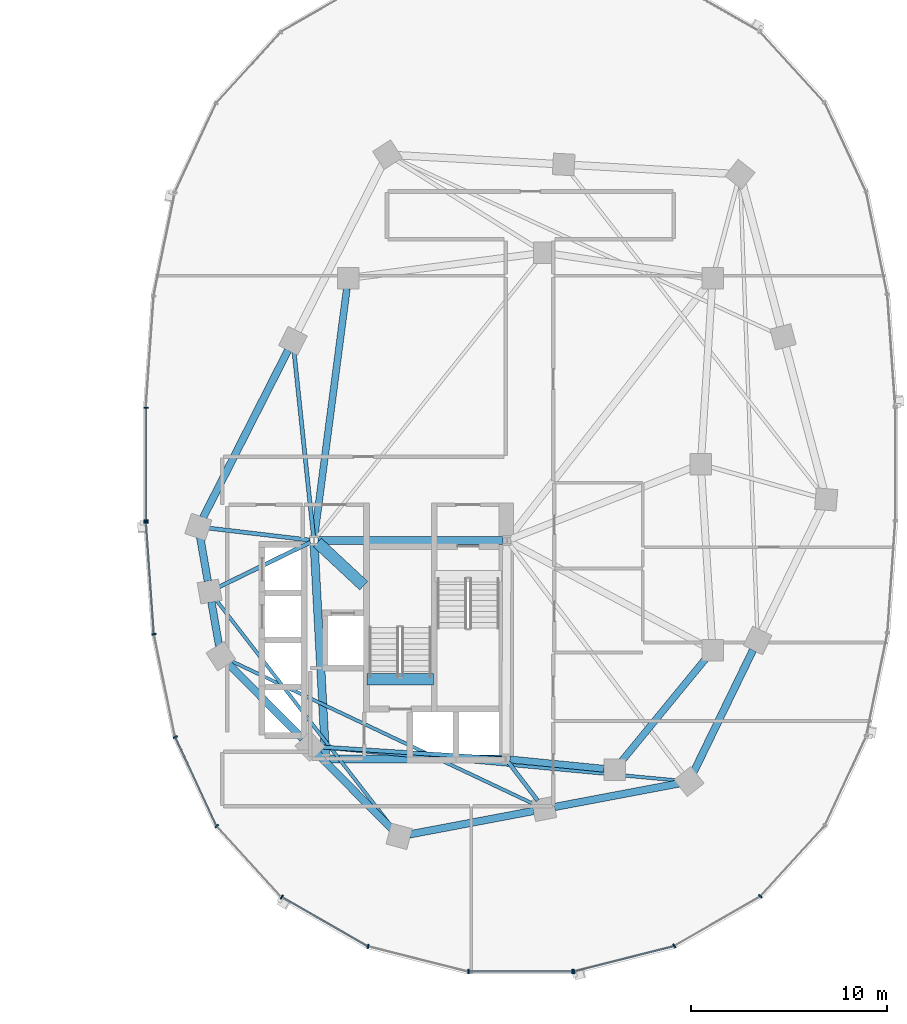
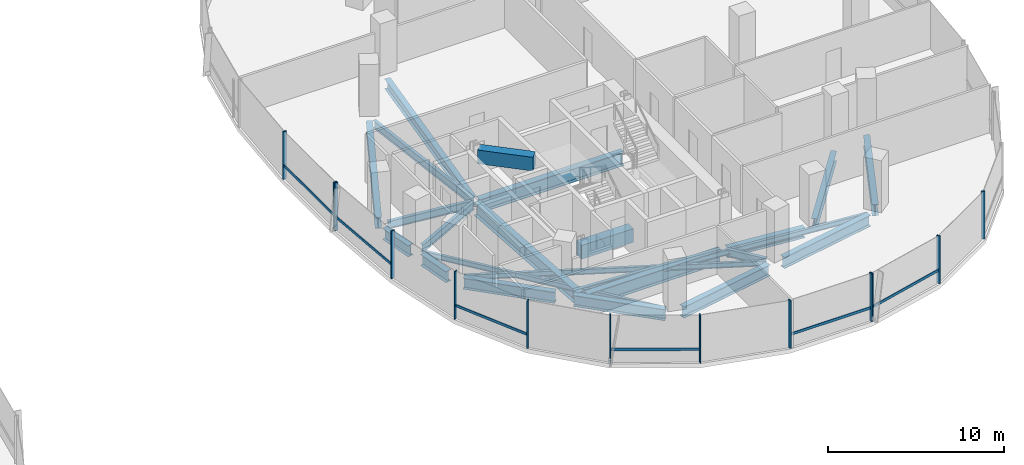
# One storey, part 5 of 21: 24 beams, 19 members, 3 elements without a shape of their own.
"""IFC4 building model written with IfcOpenShell, lengths in metres."""

from ifc_helpers import new_model, si_unit, direction, frame, origin, origin_2d, place, context, subcontext, project, spatial, rectangle, i_section, extrude, material, material_profile, profile_set, type_object, element, aggregate, save


model = new_model("IFC4")

# Units and contexts
model_context = context("Model", 3, precision=1e-05, world=origin(), true_north=direction((0.0, 1.0)))
body_context = subcontext(model_context, "Body", "Model", "MODEL_VIEW")
ifc_project = project(units=[si_unit("LENGTHUNIT", "METRE"), si_unit("AREAUNIT", "SQUARE_METRE"), si_unit("VOLUMEUNIT", "CUBIC_METRE"), si_unit("PLANEANGLEUNIT", "RADIAN"), si_unit("MASSUNIT", "GRAM", prefix="KILO"), si_unit("THERMODYNAMICTEMPERATUREUNIT", "KELVIN"), si_unit("POWERUNIT", "WATT")], contexts=[model_context])

# Site, building, storey
site_placement = place(None, origin())
site = spatial("IfcSite", under=ifc_project, at=site_placement, CompositionType="ELEMENT")
building_placement = place(site_placement, origin())
building = spatial("IfcBuilding", under=site, at=building_placement, Name="Cundina Bronze Exchange", CompositionType="ELEMENT")
storey_placement = place(building_placement, frame((0.0, 0.0, 96.199951171875)))
storey = spatial("IfcBuildingStorey", under=building, at=storey_placement, Name="L24", CompositionType="ELEMENT", Elevation=96.199951171875)

# Beams
ifc_material_1 = material(Name="Concrete C60/75", Category="concrete")
ifc_material_profile_1 = material_profile(ifc_material_1, rectangle(XDim=0.60009765625, YDim=0.949951171875, at=origin_2d()), Name="RC600X950", Category="concrete")
ifc_profile_set_1 = profile_set([ifc_material_profile_1], Name="Concrete C60/75")
beam_type_1 = type_object("IfcBeamType", Name="BM-COUP-RC950", PredefinedType="LINTEL", material=ifc_profile_set_1)
beam_1_placement = place(storey_placement, frame((24.159912109375, -10.97998046875, -0.474853515625), z_axis=(1.0, 0.0, 0.0), x_axis=(0.0, 1.0, 0.0)))
element("IfcBeam", 1, at=beam_1_placement, inside=storey, type_object=beam_type_1, Name="L24 Stair E2 Landing Header Beam", PredefinedType="LINTEL", context=body_context, shape_type="SweptSolid", body=[
    extrude(rectangle(XDim=0.60009765625, YDim=0.949951171875, at=origin_2d()), origin(), (0.0, 0.0, 1.0), 3.400146484375),
])
beam_2_placement = place(storey_placement, frame((21.6298828125, -4.0, 2.824951171875), z_axis=(0.731490439815, -0.681851696822, 0.0), x_axis=(0.681851696822, 0.731490439815, 0.0)))
element("IfcBeam", 2, at=beam_2_placement, inside=storey, type_object=beam_type_1, Name="L24 E Core Shear Coupling Lintel Beam", PredefinedType="LINTEL", context=body_context, shape_type="SweptSolid", body=[
    extrude(rectangle(XDim=0.60009765625, YDim=0.949951171875, at=origin_2d()), origin(), (0.0, 0.0, 1.0), 3.226318359375),
])
ifc_material_2 = material(Name="Steel ASTM A992 Grade 50", Category="steel")
ifc_material_profile_2 = material_profile(ifc_material_2, i_section(OverallWidth=0.2099609375, OverallDepth=0.532958984375, WebThickness=0.01025390625, FlangeThickness=0.015625, FilletRadius=0.013916015625, at=origin_2d()), Name="W21X62", Category="steel")
ifc_profile_set_2 = profile_set([ifc_material_profile_2], Name="Steel ASTM A992 Grade 50")
beam_type_2 = type_object("IfcBeamType", Name="BM-FLR-W21B", PredefinedType="BEAM", material=ifc_profile_set_2)
beam_3_placement = place(storey_placement, frame((21.247314453125, -3.8759765625, -0.56640625), z_axis=(-0.993035701683, 0.117813815752, 0.0), x_axis=(-0.117813815752, -0.993035701683, 0.0)))
element("IfcBeam", 3, at=beam_3_placement, inside=storey, type_object=beam_type_2, Name="L24 Leg E Chordal Floor Beam 00", PredefinedType="BEAM", context=body_context, shape_type="SweptSolid", body=[
    extrude(i_section(OverallWidth=0.2099609375, OverallDepth=0.532958984375, WebThickness=0.01025390625, FlangeThickness=0.015625, FilletRadius=0.013916015625, at=origin_2d()), origin(), (0.0, 0.0, 1.0), 5.19921875),
])
beam_4_placement = place(storey_placement, frame((21.2666015625, -3.989501953125, -0.56640625), z_axis=(-0.898607246385, -0.438753936443, 0.0), x_axis=(0.438753936443, -0.898607246385, 0.0)))
element("IfcBeam", 4, at=beam_4_placement, inside=storey, type_object=beam_type_2, Name="L24 Leg E Chordal Floor Beam 01", PredefinedType="BEAM", context=body_context, shape_type="SweptSolid", body=[
    extrude(i_section(OverallWidth=0.2099609375, OverallDepth=0.532958984375, WebThickness=0.01025390625, FlangeThickness=0.015625, FilletRadius=0.013916015625, at=origin_2d()), origin(), (0.0, 0.0, 1.0), 5.183837890625),
])
beam_5_placement = place(storey_placement, frame((31.04638671875, -15.036865234375, -0.56640625), z_axis=(-0.997892901568, 0.064882640211, 0.0), x_axis=(-0.064882640211, -0.997892901568, 0.0)))
element("IfcBeam", 5, at=beam_5_placement, inside=storey, type_object=beam_type_2, Name="L24 Leg E Chordal Floor Beam 03", PredefinedType="BEAM", context=body_context, shape_type="SweptSolid", body=[
    extrude(i_section(OverallWidth=0.2099609375, OverallDepth=0.532958984375, WebThickness=0.01025390625, FlangeThickness=0.015625, FilletRadius=0.013916015625, at=origin_2d()), origin(), (0.0, 0.0, 1.0), 9.279052734375),
])
beam_6_placement = place(storey_placement, frame((31.373779296875, -15.2119140625, -0.56640625), z_axis=(0.607490490457, -0.79432695032, 0.0), x_axis=(0.79432695032, 0.607490490457, 0.0)))
element("IfcBeam", 6, at=beam_6_placement, inside=storey, type_object=beam_type_2, Name="L24 Leg E Chordal Floor Beam 05", PredefinedType="BEAM", context=body_context, shape_type="SweptSolid", body=[
    extrude(i_section(OverallWidth=0.2099609375, OverallDepth=0.532958984375, WebThickness=0.01025390625, FlangeThickness=0.015625, FilletRadius=0.013916015625, at=origin_2d()), origin(), (0.0, 0.0, 1.0), 2.46826171875),
])
beam_7_placement = place(storey_placement, frame((21.4287109375, -3.697021484375, -0.56640625), z_axis=(-0.104822364957, 0.994490961148, 0.0), x_axis=(-0.994490961148, -0.104822364957, 0.0)))
element("IfcBeam", 7, at=beam_7_placement, inside=storey, type_object=beam_type_2, Name="L24 Leg E Chordal Floor Beam 13", PredefinedType="BEAM", context=body_context, shape_type="SweptSolid", body=[
    extrude(i_section(OverallWidth=0.2099609375, OverallDepth=0.532958984375, WebThickness=0.01025390625, FlangeThickness=0.015625, FilletRadius=0.013916015625, at=origin_2d()), origin(), (0.0, 0.0, 1.0), 9.514404296875),
])
ifc_material_profile_3 = material_profile(ifc_material_2, i_section(OverallWidth=0.172119140625, OverallDepth=0.35791015625, WebThickness=0.0078125, FlangeThickness=0.01318359375, FilletRadius=0.010009765625, at=origin_2d()), Name="W14X38", Category="steel")
ifc_profile_set_3 = profile_set([ifc_material_profile_3], Name="Steel ASTM A992 Grade 50")
beam_type_3 = type_object("IfcBeamType", Name="BM-JST-W14", PredefinedType="JOIST", material=ifc_profile_set_3)
beam_8_placement = place(storey_placement, frame((16.454345703125, -6.92529296875, -0.47900390625), z_axis=(0.612065218806, -0.790807288742, 0.0), x_axis=(0.790807288742, 0.612065218806, 0.0)))
element("IfcBeam", 8, at=beam_8_placement, inside=storey, type_object=beam_type_3, Name="L24 Leg E Lobe Floor Joist 01-04", PredefinedType="JOIST", context=body_context, shape_type="SweptSolid", body=[
    extrude(i_section(OverallWidth=0.172119140625, OverallDepth=0.35791015625, WebThickness=0.0078125, FlangeThickness=0.01318359375, FilletRadius=0.010009765625, at=origin_2d()), origin(), (0.0, 0.0, 1.0), 14.73095703125),
])
beam_9_placement = place(storey_placement, frame((17.186279296875, -10.02978515625, -0.47900390625), z_axis=(0.904069270633, -0.427385954259, 0.0), x_axis=(0.427385954259, 0.904069270633, 0.0)))
element("IfcBeam", 9, at=beam_9_placement, inside=storey, type_object=beam_type_3, Name="L24 Leg E Lobe Floor Joist 02-05", PredefinedType="JOIST", context=body_context, shape_type="SweptSolid", body=[
    extrude(i_section(OverallWidth=0.172119140625, OverallDepth=0.35791015625, WebThickness=0.0078125, FlangeThickness=0.01318359375, FilletRadius=0.010009765625, at=origin_2d()), origin(), (0.0, 0.0, 1.0), 17.175048828125),
])
beam_10_placement = place(storey_placement, frame((21.78564453125, -14.44970703125, -0.47900390625), z_axis=(0.995700674022, -0.092629194921, 0.0), x_axis=(0.092629194921, 0.995700674022, 0.0)))
element("IfcBeam", 10, at=beam_10_placement, inside=storey, type_object=beam_type_3, Name="L24 Leg E Lobe Floor Joist 03-06", PredefinedType="JOIST", context=body_context, shape_type="SweptSolid", body=[
    extrude(i_section(OverallWidth=0.172119140625, OverallDepth=0.35791015625, WebThickness=0.0078125, FlangeThickness=0.01318359375, FilletRadius=0.010009765625, at=origin_2d()), origin(), (0.0, 0.0, 1.0), 18.357421875),
])
ifc_material_profile_4 = material_profile(ifc_material_2, i_section(OverallWidth=0.35498046875, OverallDepth=0.695068359375, WebThickness=0.015380859375, FlangeThickness=0.02490234375, FilletRadius=0.01806640625, at=origin_2d()), Name="W27X146", Category="steel")
ifc_profile_set_4 = profile_set([ifc_material_profile_4], Name="Steel ASTM A992 Grade 50")
beam_type_4 = type_object("IfcBeamType", Name="BM-RING-W27", PredefinedType="USERDEFINED", material=ifc_profile_set_4)
beam_11_placement = place(storey_placement, frame((31.452880859375, -15.070068359375, -0.6474609375), z_axis=(0.995126271817, -0.098608839051, 0.0), x_axis=(0.098608839051, 0.995126271817, 0.0)))
element("IfcBeam", 11, at=beam_11_placement, inside=storey, type_object=beam_type_4, Name="L24 E Inner Structural Ring Girder 01", ObjectType="GIRDER", PredefinedType="USERDEFINED", context=body_context, shape_type="SweptSolid", body=[
    extrude(i_section(OverallWidth=0.35498046875, OverallDepth=0.695068359375, WebThickness=0.015380859375, FlangeThickness=0.02490234375, FilletRadius=0.01806640625, at=origin_2d()), origin(), (0.0, 0.0, 1.0), 4.83544921875),
])
beam_12_placement = place(storey_placement, frame((37.14111328125, -15.183837890625, -0.6474609375), z_axis=(0.633926549035, 0.773393257295, 0.0), x_axis=(-0.773393257295, 0.633926549035, 0.0)))
element("IfcBeam", 12, at=beam_12_placement, inside=storey, type_object=beam_type_4, Name="L24 E Inner Structural Ring Girder 02", ObjectType="GIRDER", PredefinedType="USERDEFINED", context=body_context, shape_type="SweptSolid", body=[
    extrude(i_section(OverallWidth=0.35498046875, OverallDepth=0.695068359375, WebThickness=0.015380859375, FlangeThickness=0.02490234375, FilletRadius=0.01806640625, at=origin_2d()), origin(), (0.0, 0.0, 1.0), 6.811279296875),
])
beam_13_placement = place(storey_placement, frame((23.13037109375, 8.966552734375, -0.6474609375), z_axis=(-0.129507526533, -0.99157843894, 0.0), x_axis=(0.99157843894, -0.129507526533, 0.0)))
element("IfcBeam", 13, at=beam_13_placement, inside=storey, type_object=beam_type_4, Name="L24 E Inner Structural Ring Girder 07", ObjectType="GIRDER", PredefinedType="USERDEFINED", context=body_context, shape_type="SweptSolid", body=[
    extrude(i_section(OverallWidth=0.35498046875, OverallDepth=0.695068359375, WebThickness=0.015380859375, FlangeThickness=0.02490234375, FilletRadius=0.01806640625, at=origin_2d()), origin(), (0.0, 0.0, 1.0), 12.77197265625),
])
ifc_material_profile_5 = material_profile(ifc_material_2, i_section(OverallWidth=0.381103515625, OverallDepth=0.77294921875, WebThickness=0.0166015625, FlangeThickness=0.027099609375, FilletRadius=0.01904296875, at=origin_2d()), Name="W30X173", Category="steel")
ifc_profile_set_5 = profile_set([ifc_material_profile_5], Name="Steel ASTM A992 Grade 50")
beam_type_5 = type_object("IfcBeamType", Name="BM-RING-W30", PredefinedType="USERDEFINED", material=ifc_profile_set_5)
for number, where, z_axis, x_axis, name in (
    (14, (15.642333984375, -3.72998046875, -0.6865234375), (0.171690078326, -0.985151012284, 0.0), (0.985151012284, 0.171690078326, 0.0), "L24 E Perimeter Ring Girder 00"),
    (15, (16.21728515625, -7.030029296875, -0.6865234375), (0.171690078326, -0.985151012284, 0.0), (0.985151012284, 0.171690078326, 0.0), "L24 E Perimeter Ring Girder 01"),
):
    element("IfcBeam", number, at=place(storey_placement, frame(where, z_axis=z_axis, x_axis=x_axis)), inside=storey, type_object=beam_type_5, Name=name, ObjectType="GIRDER", PredefinedType="USERDEFINED", context=body_context, shape_type="SweptSolid", body=[
        extrude(i_section(OverallWidth=0.381103515625, OverallDepth=0.77294921875, WebThickness=0.0166015625, FlangeThickness=0.027099609375, FilletRadius=0.01904296875, at=origin_2d()), origin(), (0.0, 0.0, 1.0), 2.273681640625),
    ])
for number, where, z_axis, x_axis, name in (
    (16, (17.078369140625, -10.1826171875, -0.6865234375), (0.703226342126, -0.7109660412, 0.0), (0.7109660412, 0.703226342126, 0.0), "L24 E Perimeter Ring Girder 02"),
    (17, (21.62841796875, -14.782470703125, -0.6865234375), (0.703226342126, -0.7109660412, 0.0), (0.7109660412, 0.703226342126, 0.0), "L24 E Perimeter Ring Girder 03"),
):
    element("IfcBeam", number, at=place(storey_placement, frame(where, z_axis=z_axis, x_axis=x_axis)), inside=storey, type_object=beam_type_5, Name=name, ObjectType="GIRDER", PredefinedType="USERDEFINED", context=body_context, shape_type="SweptSolid", body=[
        extrude(i_section(OverallWidth=0.381103515625, OverallDepth=0.77294921875, WebThickness=0.0166015625, FlangeThickness=0.027099609375, FilletRadius=0.01904296875, at=origin_2d()), origin(), (0.0, 0.0, 1.0), 5.39404296875),
    ])
for number, where, z_axis, x_axis, name in (
    (18, (26.32861328125, -18.89990234375, -0.6865234375), (0.98257117919, 0.185886733861, 0.0), (-0.185886733861, 0.98257117919, 0.0), "L24 E Perimeter Ring Girder 04"),
    (19, (33.728515625, -17.5, -0.6865234375), (0.98257117919, 0.185886733861, 0.0), (-0.185886733861, 0.98257117919, 0.0), "L24 E Perimeter Ring Girder 05"),
):
    element("IfcBeam", number, at=place(storey_placement, frame(where, z_axis=z_axis, x_axis=x_axis)), inside=storey, type_object=beam_type_5, Name=name, ObjectType="GIRDER", PredefinedType="USERDEFINED", context=body_context, shape_type="SweptSolid", body=[
        extrude(i_section(OverallWidth=0.381103515625, OverallDepth=0.77294921875, WebThickness=0.0166015625, FlangeThickness=0.027099609375, FilletRadius=0.01904296875, at=origin_2d()), origin(), (0.0, 0.0, 1.0), 6.455322265625),
    ])
beam_14_placement = place(storey_placement, frame((40.835205078125, -15.716064453125, -0.6865234375), z_axis=(0.437193894283, 0.899367276924, 0.0), x_axis=(-0.899367276924, 0.437193894283, 0.0)))
element("IfcBeam", 20, at=beam_14_placement, inside=storey, type_object=beam_type_5, Name="L24 E Perimeter Ring Girder 06", ObjectType="GIRDER", PredefinedType="USERDEFINED", context=body_context, shape_type="SweptSolid", body=[
    extrude(i_section(OverallWidth=0.381103515625, OverallDepth=0.77294921875, WebThickness=0.0166015625, FlangeThickness=0.027099609375, FilletRadius=0.01904296875, at=origin_2d()), origin(), (0.0, 0.0, 1.0), 6.929443359375),
])
beam_15_placement = place(storey_placement, frame((20.13134765625, 5.8203125, -0.6865234375), z_axis=(-0.452832332744, -0.891595692241, 0.0), x_axis=(0.891595692241, -0.452832332744, 0.0)))
element("IfcBeam", 21, at=beam_15_placement, inside=storey, type_object=beam_type_5, Name="L24 E Perimeter Ring Girder 13", ObjectType="GIRDER", PredefinedType="USERDEFINED", context=body_context, shape_type="SweptSolid", body=[
    extrude(i_section(OverallWidth=0.381103515625, OverallDepth=0.77294921875, WebThickness=0.0166015625, FlangeThickness=0.027099609375, FilletRadius=0.01904296875, at=origin_2d()), origin(), (0.0, 0.0, 1.0), 9.578857421875),
])
ifc_material_profile_6 = material_profile(ifc_material_2, i_section(OverallWidth=0.41796875, OverallDepth=0.927001953125, WebThickness=0.019287109375, FlangeThickness=0.031982421875, FilletRadius=0.02392578125, at=origin_2d()), Name="W36X231", Category="steel")
ifc_profile_set_6 = profile_set([ifc_material_profile_6], Name="Steel ASTM A992 Grade 50")
beam_type_6 = type_object("IfcBeamType", Name="BM-WRN-W36B", PredefinedType="USERDEFINED", material=ifc_profile_set_6)
beam_16_placement = place(storey_placement, frame((31.095947265625, -3.89990234375, -0.763427734375), z_axis=(-1.0, 0.0, 0.0), x_axis=(0.0, -1.0, 0.0)))
element("IfcBeam", 22, at=beam_16_placement, inside=storey, type_object=beam_type_6, Name="L24 E Core Perimeter Tie Girder 1", ObjectType="GIRDER", PredefinedType="USERDEFINED", context=body_context, shape_type="SweptSolid", body=[
    extrude(i_section(OverallWidth=0.41796875, OverallDepth=0.927001953125, WebThickness=0.019287109375, FlangeThickness=0.031982421875, FilletRadius=0.02392578125, at=origin_2d()), origin(), (0.0, 0.0, 1.0), 9.44189453125),
])
beam_17_placement = place(storey_placement, frame((21.4609375, -4.103759765625, -0.763427734375), z_axis=(0.053739193498, -0.998555005537, 0.0), x_axis=(0.998555005537, 0.053739193498, 0.0)))
element("IfcBeam", 23, at=beam_17_placement, inside=storey, type_object=beam_type_6, Name="L24 E Core Perimeter Tie Girder 2", ObjectType="GIRDER", PredefinedType="USERDEFINED", context=body_context, shape_type="SweptSolid", body=[
    extrude(i_section(OverallWidth=0.41796875, OverallDepth=0.927001953125, WebThickness=0.019287109375, FlangeThickness=0.031982421875, FilletRadius=0.02392578125, at=origin_2d()), origin(), (0.0, 0.0, 1.0), 10.758056640625),
])
beam_18_placement = place(storey_placement, frame((22.25390625, -15.050048828125, -0.763427734375), z_axis=(1.0, 0.0, 0.0), x_axis=(0.0, 1.0, 0.0)))
element("IfcBeam", 24, at=beam_18_placement, inside=storey, type_object=beam_type_6, Name="L24 E Core Perimeter Tie Girder 3", ObjectType="GIRDER", PredefinedType="USERDEFINED", context=body_context, shape_type="SweptSolid", body=[
    extrude(i_section(OverallWidth=0.41796875, OverallDepth=0.927001953125, WebThickness=0.019287109375, FlangeThickness=0.031982421875, FilletRadius=0.02392578125, at=origin_2d()), origin(), (0.0, 0.0, 1.0), 8.7919921875),
])

# Curtain wall, members
ifc_material_3 = material(Name="Anodised Bronze Aluminium 6063-T6", Category="aluminium")
curtain_wall_type = type_object("IfcCurtainWallType", Name="CWS-TRD-MID", PredefinedType="NOTDEFINED", material=ifc_material_3)
curtain_wall_1_placement = place(storey_placement, origin())
curtain_wall_1 = element("IfcCurtainWall", 25, at=curtain_wall_1_placement, inside=storey, type_object=curtain_wall_type, Name="L24 CW-03 Curtain Wall Run CWR-L24-E2", PredefinedType="NOTDEFINED")
ifc_material_profile_7 = material_profile(ifc_material_3, rectangle(XDim=0.074951171875, YDim=0.219970703125, at=origin_2d()), Name="AL75X220", Category="aluminium")
ifc_profile_set_7 = profile_set([ifc_material_profile_7], Name="Anodised Bronze Aluminium 6063-T6")
member_type_1 = type_object("IfcMemberType", Name="CWM-MUL-220", PredefinedType="MULLION", material=ifc_profile_set_7)
member_1_placement = place(storey_placement, frame((12.8720703125, 2.880615234375, 0.0), z_axis=(0.0, 0.0, 1.0), x_axis=(0.0, -1.0, 0.0)))
member_1 = element("IfcMember", 26, at=member_1_placement, type_object=member_type_1, Name="CW-03 Mullion 7", PredefinedType="MULLION", context=body_context, shape_type="SweptSolid", body=[
    extrude(rectangle(XDim=0.074951171875, YDim=0.219970703125, at=origin_2d()), origin(), (0.0, 0.0, 1.0), 3.300048828125),
])
member_2_placement = place(storey_placement, frame((12.8720703125, -2.880615234375, 0.0), z_axis=(0.0, 0.0, 1.0), x_axis=(0.0, -1.0, 0.0)))
member_2 = element("IfcMember", 27, at=member_2_placement, type_object=member_type_1, Name="CW-03 End Mullion", PredefinedType="MULLION", context=body_context, shape_type="SweptSolid", body=[
    extrude(rectangle(XDim=0.074951171875, YDim=0.219970703125, at=origin_2d()), origin(), (0.0, 0.0, 1.0), 3.300048828125),
])

curtain_wall_2_placement = place(storey_placement, origin())
curtain_wall_2 = element("IfcCurtainWall", 28, at=curtain_wall_2_placement, inside=storey, type_object=curtain_wall_type, Name="L24 CW-03 Curtain Wall Run CWR-L24-E3", PredefinedType="NOTDEFINED")
member_3_placement = place(storey_placement, frame((12.87548828125, -2.976318359375, 0.0), z_axis=(0.0, 0.0, 1.0), x_axis=(0.070278787473, -0.997527389113, 0.0)))
member_3 = element("IfcMember", 29, at=member_3_placement, type_object=member_type_1, Name="CW-03 Mullion 1", PredefinedType="MULLION", context=body_context, shape_type="SweptSolid", body=[
    extrude(rectangle(XDim=0.074951171875, YDim=0.219970703125, at=origin_2d()), origin(), (0.0, 0.0, 1.0), 3.300048828125),
])
member_4_placement = place(storey_placement, frame((13.282958984375, -8.67822265625, 0.0), z_axis=(0.0, 0.0, 1.0), x_axis=(0.201419845156, -0.979505000486, 0.0)))
member_4 = element("IfcMember", 30, at=member_4_placement, type_object=member_type_1, Name="CW-03 Mullion 2", PredefinedType="MULLION", context=body_context, shape_type="SweptSolid", body=[
    extrude(rectangle(XDim=0.074951171875, YDim=0.219970703125, at=origin_2d()), origin(), (0.0, 0.0, 1.0), 3.300048828125),
])
member_5_placement = place(storey_placement, frame((14.3720703125, -13.931884765625, 0.0), z_axis=(0.0, 0.0, 1.0), x_axis=(0.42087749791, -0.907117485088, 0.0)))
member_5 = element("IfcMember", 31, at=member_5_placement, type_object=member_type_1, Name="CW-03 Mullion 3", PredefinedType="MULLION", context=body_context, shape_type="SweptSolid", body=[
    extrude(rectangle(XDim=0.074951171875, YDim=0.219970703125, at=origin_2d()), origin(), (0.0, 0.0, 1.0), 3.300048828125),
])
member_6_placement = place(storey_placement, frame((16.491455078125, -18.47705078125, 0.0), z_axis=(0.0, 0.0, 1.0), x_axis=(0.674302387584, -0.738455340626, 0.0)))
member_6 = element("IfcMember", 32, at=member_6_placement, type_object=member_type_1, Name="CW-03 Mullion 4", PredefinedType="MULLION", context=body_context, shape_type="SweptSolid", body=[
    extrude(rectangle(XDim=0.074951171875, YDim=0.219970703125, at=origin_2d()), origin(), (0.0, 0.0, 1.0), 3.300048828125),
])
member_7_placement = place(storey_placement, frame((19.810302734375, -22.097412109375, 0.0), z_axis=(0.0, 0.0, 1.0), x_axis=(0.867070701164, -0.498185105339, 0.0)))
member_7 = element("IfcMember", 33, at=member_7_placement, type_object=member_type_1, Name="CW-03 Mullion 5", PredefinedType="MULLION", context=body_context, shape_type="SweptSolid", body=[
    extrude(rectangle(XDim=0.074951171875, YDim=0.219970703125, at=origin_2d()), origin(), (0.0, 0.0, 1.0), 3.300048828125),
])
member_8_placement = place(storey_placement, frame((24.21484375, -24.61669921875, 0.0), z_axis=(0.0, 0.0, 1.0), x_axis=(0.969488149345, -0.245138182011, 0.0)))
member_8 = element("IfcMember", 34, at=member_8_placement, type_object=member_type_1, Name="CW-03 Mullion 6", PredefinedType="MULLION", context=body_context, shape_type="SweptSolid", body=[
    extrude(rectangle(XDim=0.074951171875, YDim=0.219970703125, at=origin_2d()), origin(), (0.0, 0.0, 1.0), 3.300048828125),
])
member_9_placement = place(storey_placement, frame((29.345458984375, -25.905029296875, 0.0), z_axis=(0.0, 0.0, 1.0), x_axis=(1.0, 0.0, 0.0)))
member_9 = element("IfcMember", 35, at=member_9_placement, type_object=member_type_1, Name="CW-03 Mullion 7", PredefinedType="MULLION", context=body_context, shape_type="SweptSolid", body=[
    extrude(rectangle(XDim=0.074951171875, YDim=0.219970703125, at=origin_2d()), origin(), (0.0, 0.0, 1.0), 3.300048828125),
])
member_10_placement = place(storey_placement, frame((34.654541015625, -25.905029296875, 0.0), z_axis=(0.0, 0.0, 1.0), x_axis=(1.0, 0.0, 0.0)))
member_10 = element("IfcMember", 36, at=member_10_placement, type_object=member_type_1, Name="CW-03 End Mullion", PredefinedType="MULLION", context=body_context, shape_type="SweptSolid", body=[
    extrude(rectangle(XDim=0.074951171875, YDim=0.219970703125, at=origin_2d()), origin(), (0.0, 0.0, 1.0), 3.300048828125),
])

curtain_wall_3_placement = place(storey_placement, origin())
curtain_wall_3 = element("IfcCurtainWall", 37, at=curtain_wall_3_placement, inside=storey, type_object=curtain_wall_type, Name="L24 CW-03 Curtain Wall Run CWR-L24-E4", PredefinedType="NOTDEFINED")
member_11_placement = place(storey_placement, frame((34.72607421875, -25.89599609375, 0.0), z_axis=(0.0, 0.0, 1.0), x_axis=(0.969488149345, 0.245138182011, 0.0)))
member_11 = element("IfcMember", 38, at=member_11_placement, type_object=member_type_1, Name="CW-03 Mullion 1", PredefinedType="MULLION", context=body_context, shape_type="SweptSolid", body=[
    extrude(rectangle(XDim=0.074951171875, YDim=0.219970703125, at=origin_2d()), origin(), (0.0, 0.0, 1.0), 3.300048828125),
])
member_12_placement = place(storey_placement, frame((39.848876953125, -24.591064453125, 0.0), z_axis=(0.0, 0.0, 1.0), x_axis=(0.867070701164, 0.498185105339, 0.0)))
member_12 = element("IfcMember", 39, at=member_12_placement, type_object=member_type_1, Name="CW-03 Mullion 2", PredefinedType="MULLION", context=body_context, shape_type="SweptSolid", body=[
    extrude(rectangle(XDim=0.074951171875, YDim=0.219970703125, at=origin_2d()), origin(), (0.0, 0.0, 1.0), 3.300048828125),
])
member_13_placement = place(storey_placement, frame((44.239501953125, -22.0576171875, 0.0), z_axis=(0.0, 0.0, 1.0), x_axis=(0.674302387584, 0.738455340626, 0.0)))
member_13 = element("IfcMember", 40, at=member_13_placement, type_object=member_type_1, Name="CW-03 Mullion 3", PredefinedType="MULLION", context=body_context, shape_type="SweptSolid", body=[
    extrude(rectangle(XDim=0.074951171875, YDim=0.219970703125, at=origin_2d()), origin(), (0.0, 0.0, 1.0), 3.300048828125),
])

# Member
ifc_material_profile_8 = material_profile(ifc_material_3, rectangle(XDim=0.070068359375, YDim=0.179931640625, at=origin_2d()), Name="AL70X180", Category="aluminium")
ifc_profile_set_8 = profile_set([ifc_material_profile_8], Name="Anodised Bronze Aluminium 6063-T6")
member_type_2 = type_object("IfcMemberType", Name="CWM-TRN-180", PredefinedType="USERDEFINED", material=ifc_profile_set_8)
member_14_placement = place(storey_placement, frame((12.8720703125, 2.839111328125, 0.920166015625), z_axis=(0.0, -1.0, 0.0), x_axis=(1.0, 0.0, 0.0)))
member_14 = element("IfcMember", 41, at=member_14_placement, type_object=member_type_2, Name="CW-03 Spandrel Transom 7", ObjectType="TRANSOM", PredefinedType="USERDEFINED", context=body_context, shape_type="SweptSolid", body=[
    extrude(rectangle(XDim=0.070068359375, YDim=0.179931640625, at=origin_2d()), origin(), (0.0, 0.0, 1.0), 5.67822265625),
])

aggregate(curtain_wall_1, [member_1, member_2, member_14])

member_15_placement = place(storey_placement, frame((12.87841796875, -3.017333984375, 0.920166015625), z_axis=(0.070260714471, -0.997528662246, 0.0), x_axis=(0.997528662246, 0.070260714471, 0.0)))
member_15 = element("IfcMember", 42, at=member_15_placement, type_object=member_type_2, Name="CW-03 Spandrel Transom 1", ObjectType="TRANSOM", PredefinedType="USERDEFINED", context=body_context, shape_type="SweptSolid", body=[
    extrude(rectangle(XDim=0.070068359375, YDim=0.179931640625, at=origin_2d()), origin(), (0.0, 0.0, 1.0), 5.629150390625),
])

member_16_placement = place(storey_placement, frame((14.389404296875, -13.96923828125, 0.920166015625), z_axis=(0.420811422796, -0.907148139195, 0.0), x_axis=(0.907148139195, 0.420811422796, 0.0)))
member_16 = element("IfcMember", 43, at=member_16_placement, type_object=member_type_2, Name="CW-03 Spandrel Transom 3", ObjectType="TRANSOM", PredefinedType="USERDEFINED", context=body_context, shape_type="SweptSolid", body=[
    extrude(rectangle(XDim=0.070068359375, YDim=0.179931640625, at=origin_2d()), origin(), (0.0, 0.0, 1.0), 4.95166015625),
])

member_17_placement = place(storey_placement, frame((19.845947265625, -22.117919921875, 0.920166015625), z_axis=(0.867097475651, -0.498138502546, 0.0), x_axis=(0.498138502546, 0.867097475651, 0.0)))
member_17 = element("IfcMember", 44, at=member_17_placement, type_object=member_type_2, Name="CW-03 Spandrel Transom 5", ObjectType="TRANSOM", PredefinedType="USERDEFINED", context=body_context, shape_type="SweptSolid", body=[
    extrude(rectangle(XDim=0.070068359375, YDim=0.179931640625, at=origin_2d()), origin(), (0.0, 0.0, 1.0), 5.00634765625),
])

member_18_placement = place(storey_placement, frame((29.38671875, -25.905029296875, 0.920166015625), z_axis=(1.0, 0.0, 0.0), x_axis=(0.0, 1.0, 0.0)))
member_18 = element("IfcMember", 45, at=member_18_placement, type_object=member_type_2, Name="CW-03 Spandrel Transom 7", ObjectType="TRANSOM", PredefinedType="USERDEFINED", context=body_context, shape_type="SweptSolid", body=[
    extrude(rectangle(XDim=0.070068359375, YDim=0.179931640625, at=origin_2d()), origin(), (0.0, 0.0, 1.0), 5.2265625),
])

aggregate(curtain_wall_2, [member_3, member_15, member_4, member_5, member_16, member_6, member_7, member_17, member_8, member_9, member_10, member_18])

member_19_placement = place(storey_placement, frame((34.76611328125, -25.885986328125, 0.920166015625), z_axis=(0.969483968866, 0.245154714644, 0.0), x_axis=(-0.245154714644, 0.969483968866, 0.0)))
member_19 = element("IfcMember", 46, at=member_19_placement, type_object=member_type_2, Name="CW-03 Spandrel Transom 1", ObjectType="TRANSOM", PredefinedType="USERDEFINED", context=body_context, shape_type="SweptSolid", body=[
    extrude(rectangle(XDim=0.070068359375, YDim=0.179931640625, at=origin_2d()), origin(), (0.0, 0.0, 1.0), 5.21826171875),
])

aggregate(curtain_wall_3, [member_11, member_19, member_12, member_13])

save(model, "model.ifc")
